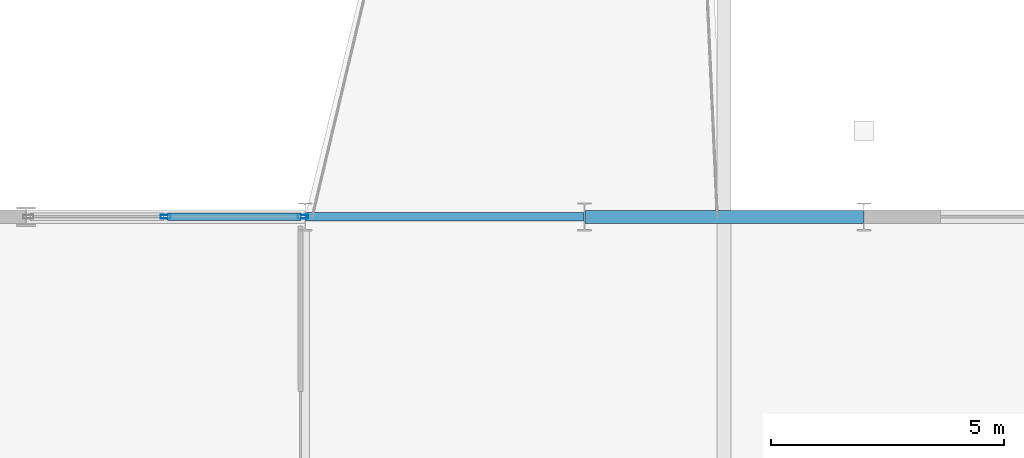
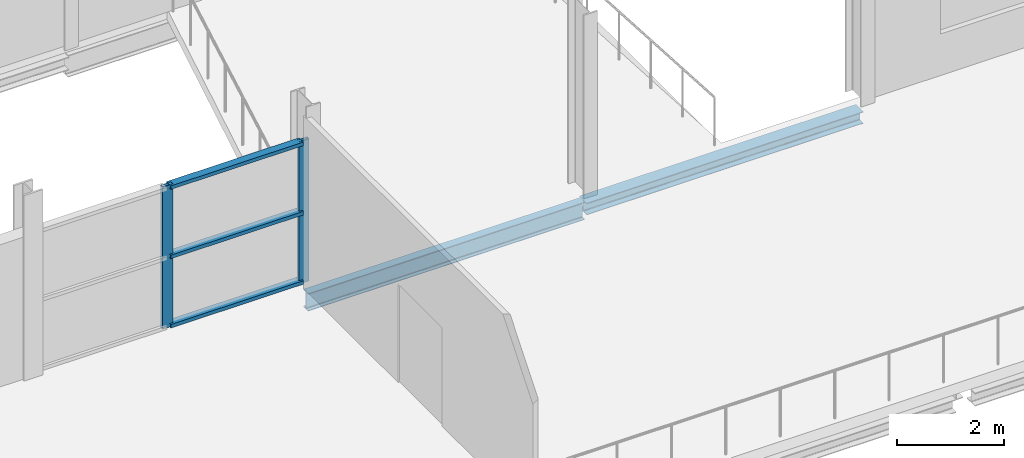
# One storey, part 47 of 135: 5 members, 2 beams, 1 element without a shape of its own.
"""IFC4 building model written with IfcOpenShell, lengths in metres."""

import ifcopenshell
import ifcopenshell.guid

model = None  # the IFC model being written
_history = None  # IfcOwnerHistory: only IFC2X3 demands one
_inside = {}  # id of a spatial element -> (the spatial element, [elements in it])
_under = {}  # id of a project, library or spatial element -> (it, [spatial elements below it])
_declared = {}  # id of a project -> (the project, [libraries it declares])
_typed = {}  # id of a type object -> (the type object, [elements of that type])
_made_of = {}  # id of a material, layer set ... -> (it, [elements and type objects made of it])


def new_model(schema):
    """Start an empty IFC model of exactly this schema.

    Asked for "IFC4X3", IfcOpenShell would pick the latest addendum, in which some entities
    have other attributes; the version numbers below select the first issue.
    IFC2X3 requires an IfcOwnerHistory on every rooted entity: one is made here for all.
    """
    global model, _history
    if schema == "IFC4X3":
        model = ifcopenshell.file(schema_version=(4, 3, 0, 0))
    else:
        model = ifcopenshell.file(schema=schema)
    _inside.clear()
    _under.clear()
    _declared.clear()
    _typed.clear()
    _made_of.clear()
    _history = None
    if model.schema == "IFC2X3":
        org = make("IfcOrganization", Name="unknown")
        user = make(
            "IfcPersonAndOrganization",
            ThePerson=make("IfcPerson", FamilyName="unknown"),
            TheOrganization=org,
        )
        app = make(
            "IfcApplication",
            ApplicationDeveloper=org,
            Version="unknown",
            ApplicationFullName="unknown",
            ApplicationIdentifier="unknown",
        )
        _history = make(
            "IfcOwnerHistory",
            OwningUser=user,
            OwningApplication=app,
            ChangeAction="ADDED",
            CreationDate=0,
        )
    return model


def make(cls, **values):
    """One entity of the class cls with the attributes given. An attribute that is None is left unset."""
    return model.create_entity(
        cls, **{name: value for name, value in values.items() if value is not None}
    )


def rooted(cls, **values):
    """An entity with a GlobalId (a new one), such as an element, a storey or a relation."""
    return make(cls, GlobalId=ifcopenshell.guid.new(), OwnerHistory=_history, **values)


def si_unit(unit_type, name, prefix=None):
    """IfcSIUnit, for example si_unit("LENGTHUNIT", "METRE", prefix="MILLI")."""
    return make("IfcSIUnit", UnitType=unit_type, Prefix=prefix, Name=name)


def assignment(units):
    """IfcUnitAssignment: the units of a project."""
    return None if units is None else make("IfcUnitAssignment", Units=units)


def point(xyz):
    """IfcCartesianPoint."""
    return None if xyz is None else make("IfcCartesianPoint", Coordinates=xyz)


def direction(xyz):
    """IfcDirection."""
    return None if xyz is None else make("IfcDirection", DirectionRatios=xyz)


def frame(location, z_axis=None, x_axis=None):
    """IfcAxis2Placement3D, a coordinate frame: its origin and axes. An axis left out is left unset."""
    return make(
        "IfcAxis2Placement3D",
        Location=point(location),
        Axis=direction(z_axis),
        RefDirection=direction(x_axis),
    )


def frame_2d(location, x_axis=None):
    """IfcAxis2Placement2D, a coordinate frame in the plane: its origin and x axis."""
    return make(
        "IfcAxis2Placement2D", Location=point(location), RefDirection=direction(x_axis)
    )


def origin():
    """The frame at (0, 0, 0) with its axes left unset."""
    return frame((0.0, 0.0, 0.0))


def origin_2d():
    """The frame at (0, 0) in the plane with its x axis left unset."""
    return frame_2d((0.0, 0.0))


def place(relative_to, where):
    """IfcLocalPlacement: puts the frame where relative to a parent placement (None: the world)."""
    return make(
        "IfcLocalPlacement", PlacementRelTo=relative_to, RelativePlacement=where
    )


def context(
    kind, dimensions, precision=None, world=None, true_north=None, identifier=None
):
    """IfcGeometricRepresentationContext, for example the 3D "Model" context."""
    return make(
        "IfcGeometricRepresentationContext",
        ContextIdentifier=identifier,
        ContextType=kind,
        CoordinateSpaceDimension=dimensions,
        Precision=precision,
        WorldCoordinateSystem=world,
        TrueNorth=true_north,
    )


def subcontext(parent, identifier, kind, view, scale=None):
    """IfcGeometricRepresentationSubContext, for example "Body" below "Model"."""
    return make(
        "IfcGeometricRepresentationSubContext",
        ContextIdentifier=identifier,
        ContextType=kind,
        ParentContext=parent,
        TargetScale=scale,
        TargetView=view,
    )


def project(units=None, contexts=None):
    """IfcProject with its units and contexts."""
    return rooted(
        "IfcProject",
        Name="project",
        RepresentationContexts=contexts,
        UnitsInContext=assignment(units),
    )


def spatial(cls, under=None, at=None, **own):
    """A site, building, storey or space (cls), placed at a placement, below another one or the project."""
    s = rooted(cls, ObjectPlacement=at, **own)
    if under is not None:
        _under.setdefault(under.id(), (under, []))[1].append(s)
    return s


def profile(cls, at=None, kind="AREA", **sizes):
    """A parametric profile (cls). Its sizes go by their IFC names, for example OverallWidth=200.0."""
    return make(cls, ProfileType=kind, Position=at, **sizes)


def hollow_rectangle(**sizes):
    """IfcRectangleHollowProfileDef."""
    return profile("IfcRectangleHollowProfileDef", **sizes)


def i_section(**sizes):
    """IfcIShapeProfileDef."""
    return profile("IfcIShapeProfileDef", **sizes)


def extrude(swept, where, along, depth):
    """IfcExtrudedAreaSolid: the profile swept, set in the frame where, extruded along a direction by depth."""
    return make(
        "IfcExtrudedAreaSolid",
        SweptArea=swept,
        Position=where,
        ExtrudedDirection=direction(along),
        Depth=depth,
    )


def shape(context_of_items, identifier, shape_type, items):
    """IfcShapeRepresentation: the items that make up one representation, for example the "Body"."""
    return make(
        "IfcShapeRepresentation",
        ContextOfItems=context_of_items,
        RepresentationIdentifier=identifier,
        RepresentationType=shape_type,
        Items=items,
    )


def material(Name=None, Category=None):
    """IfcMaterial."""
    return make("IfcMaterial", Name=Name, Category=Category)


def layer(
    of_material, thickness, ventilated=None, Name=None, Category=None, Priority=None
):
    """IfcMaterialLayer: one layer of a wall or slab, of a material (None: an air gap)."""
    return make(
        "IfcMaterialLayer",
        Material=of_material,
        LayerThickness=thickness,
        IsVentilated=ventilated,
        Name=Name,
        Category=Category,
        Priority=Priority,
    )


def layer_set(layers, Name=None):
    """IfcMaterialLayerSet."""
    return make("IfcMaterialLayerSet", MaterialLayers=layers, LayerSetName=Name)


def material_profile(
    of_material, cross_section, Name=None, Category=None, Priority=None
):
    """IfcMaterialProfile: a cross section and its material."""
    return make(
        "IfcMaterialProfile",
        Name=Name,
        Material=of_material,
        Profile=cross_section,
        Priority=Priority,
        Category=Category,
    )


def profile_set(profiles, Name=None, composite=None):
    """IfcMaterialProfileSet."""
    return make(
        "IfcMaterialProfileSet",
        Name=Name,
        MaterialProfiles=profiles,
        CompositeProfile=composite,
    )


def made_of(thing, what):
    """Note that an element or type object is made of a material, layer set ...; save() writes the relation."""
    if what is not None:
        _made_of.setdefault(what.id(), (what, []))[1].append(thing)
    return thing


def type_object(cls, material=None, **own):
    """A type object (cls), such as IfcWallType, which elements share."""
    return made_of(rooted(cls, **own), material)


def element(
    cls,
    number,
    at=None,
    inside=None,
    cuts=None,
    type_object=None,
    material=None,
    context=None,
    identifier="Body",
    shape_type=None,
    held_by="IfcProductDefinitionShape",
    body=None,
    shapes=None,
    **own,
):
    """One element of the class cls, such as IfcWall. Its Tag is "e" and its number.

    at: its placement. inside: the storey or other place that contains it. cuts: it is an
    opening in that element (IfcRelVoidsElement). A single representation is given by context,
    identifier, shape_type and body (its items); several are given by shapes. held_by: the class
    of the entity that holds the representations. save() writes the other relations.
    """
    e = rooted(cls, Tag="e%d" % number, ObjectPlacement=at, **own)
    if body is not None:
        shapes = [shape(context, identifier, shape_type, body)]
    if shapes is not None:
        e.Representation = make(held_by, Representations=shapes)
    if inside is not None:
        _inside.setdefault(inside.id(), (inside, []))[1].append(e)
    if cuts is not None:
        rooted(
            "IfcRelVoidsElement", RelatingBuildingElement=cuts, RelatedOpeningElement=e
        )
    if type_object is not None:
        _typed.setdefault(type_object.id(), (type_object, []))[1].append(e)
    return made_of(e, material)


def aggregate(whole, parts):
    """IfcRelAggregates: a whole, such as a stair, and the parts it consists of."""
    return rooted("IfcRelAggregates", RelatingObject=whole, RelatedObjects=parts)


def save(model, path):
    """Write the relations noted so far, then the file.

    IfcRelAggregates (storeys below a building ...), IfcRelContainedInSpatialStructure (elements
    in a storey), IfcRelDefinesByType, IfcRelAssociatesMaterial and IfcRelDeclares: one each for
    every whole, place, type object, material and project.
    """
    for whole, parts in _under.values():
        aggregate(whole, parts)
    for where, things in _inside.values():
        rooted(
            "IfcRelContainedInSpatialStructure",
            RelatedElements=things,
            RelatingStructure=where,
        )
    for kind, things in _typed.values():
        rooted("IfcRelDefinesByType", RelatedObjects=things, RelatingType=kind)
    for what, things in _made_of.values():
        rooted("IfcRelAssociatesMaterial", RelatedObjects=things, RelatingMaterial=what)
    for by, libraries in _declared.values():
        rooted("IfcRelDeclares", RelatingContext=by, RelatedDefinitions=libraries)
    model.write(path)


model = new_model("IFC4")

# Units and contexts
model_context = context("Model", 3, precision=1e-05, world=origin(), true_north=direction((0.0, 1.0)))
body_context = subcontext(model_context, "Body", "Model", "MODEL_VIEW")
ifc_project = project(units=[si_unit("LENGTHUNIT", "METRE"), si_unit("AREAUNIT", "SQUARE_METRE"), si_unit("VOLUMEUNIT", "CUBIC_METRE"), si_unit("PLANEANGLEUNIT", "RADIAN"), si_unit("MASSUNIT", "GRAM", prefix="KILO")], contexts=[model_context])

# Site, building, storey
site_placement = place(None, origin())
site = spatial("IfcSite", under=ifc_project, at=site_placement, CompositionType="ELEMENT")
building_placement = place(site_placement, origin())
building = spatial("IfcBuilding", under=site, at=building_placement, Name="Deido Ridge Mobility Hub", CompositionType="ELEMENT")
storey_placement = place(building_placement, frame((0.0, 0.0, 4.199951171875)))
storey = spatial("IfcBuildingStorey", under=building, at=storey_placement, Name="L01", CompositionType="ELEMENT", Elevation=4.199951171875)

# Beam
ifc_material_1 = material(Name="Steel S355J2 EN 10025-2", Category="steel")
ifc_material_profile_1 = material_profile(ifc_material_1, i_section(OverallWidth=0.179931640625, OverallDepth=0.39990234375, WebThickness=0.008544921875, FlangeThickness=0.013427734375, FilletRadius=0.02099609375, at=origin_2d()), Name="IPE 400")
ifc_profile_set_1 = profile_set([ifc_material_profile_1], Name="Steel S355J2 EN 10025-2")
beam_type_1 = type_object("IfcBeamType", Name="BM-IPE400", PredefinedType="BEAM", material=ifc_profile_set_1)
beam_1_placement = place(storey_placement, frame((36.0078125, 36.0, -0.449951171875), z_axis=(1.0, 0.0, 0.0), x_axis=(0.0, 1.0, 0.0)))
element("IfcBeam", 1, at=beam_1_placement, inside=storey, type_object=beam_type_1, Name="Floor beam B5", PredefinedType="BEAM", context=body_context, shape_type="SweptSolid", body=[
    extrude(i_section(OverallWidth=0.179931640625, OverallDepth=0.39990234375, WebThickness=0.008544921875, FlangeThickness=0.013427734375, FilletRadius=0.02099609375, at=origin_2d()), origin(), (0.0, 0.0, 1.0), 5.984375),
])

# Curtain wall, members
ifc_material_2 = material(Name="Anodised aluminium EN AW-6063 T6", Category="aluminium")
ifc_layer = layer(ifc_material_2, 0.14404296875, Name="Anodised aluminium EN AW-6063 T6")
ifc_layer_set = layer_set([ifc_layer], Name="Anodised aluminium EN AW-6063 T6")
curtain_wall_type = type_object("IfcCurtainWallType", Name="CW-GS-2", PredefinedType="USERDEFINED", material=ifc_layer_set)
curtain_wall_placement = place(storey_placement, origin())
curtain_wall = element("IfcCurtainWall", 2, at=curtain_wall_placement, inside=storey, type_object=curtain_wall_type, Name="Unitised curtain wall GS2", ObjectType="GLAZED SCREEN", PredefinedType="USERDEFINED")
ifc_material_profile_2 = material_profile(ifc_material_2, hollow_rectangle(XDim=0.080078125, YDim=0.219970703125, WallThickness=0.00390625, at=origin_2d()), Name="RHS 80x220x4")
ifc_profile_set_2 = profile_set([ifc_material_profile_2], Name="Anodised aluminium EN AW-6063 T6")
member_type_1 = type_object("IfcMemberType", Name="MEM-MUL-80X220", PredefinedType="MULLION", material=ifc_profile_set_2)
member_1_placement = place(storey_placement, frame((33.002197265625, 36.0, 0.0), z_axis=(0.0, 0.0, 1.0), x_axis=(0.0, 1.0, 0.0)))
member_1 = element("IfcMember", 3, at=member_1_placement, type_object=member_type_1, Name="GS2 mullion 2", PredefinedType="MULLION", context=body_context, shape_type="SweptSolid", body=[
    extrude(hollow_rectangle(XDim=0.080078125, YDim=0.219970703125, WallThickness=0.00390625, at=origin_2d()), origin(), (0.0, 0.0, 1.0), 3.25),
])
member_2_placement = place(storey_placement, frame((35.9521484375, 36.0, 0.0), z_axis=(0.0, 0.0, 1.0), x_axis=(0.0, 1.0, 0.0)))
member_2 = element("IfcMember", 4, at=member_2_placement, type_object=member_type_1, Name="GS2 mullion 3", PredefinedType="MULLION", context=body_context, shape_type="SweptSolid", body=[
    extrude(hollow_rectangle(XDim=0.080078125, YDim=0.219970703125, WallThickness=0.00390625, at=origin_2d()), origin(), (0.0, 0.0, 1.0), 3.25),
])
ifc_material_profile_3 = material_profile(ifc_material_2, hollow_rectangle(XDim=0.1650390625, YDim=0.080078125, WallThickness=0.00390625, at=origin_2d()), Name="RHS 165x80x4")
ifc_profile_set_3 = profile_set([ifc_material_profile_3], Name="Anodised aluminium EN AW-6063 T6")
member_type_2 = type_object("IfcMemberType", Name="MEM-TRN-165X80", PredefinedType="USERDEFINED", material=ifc_profile_set_3)
member_3_placement = place(storey_placement, frame((33.0419921875, 36.0, 0.0400390625), z_axis=(1.0, 0.0, 0.0), x_axis=(0.0, 1.0, 0.0)))
member_3 = element("IfcMember", 5, at=member_3_placement, type_object=member_type_2, Name="GS2 transom 2.1", ObjectType="TRANSOM", PredefinedType="USERDEFINED", context=body_context, shape_type="SweptSolid", body=[
    extrude(hollow_rectangle(XDim=0.1650390625, YDim=0.080078125, WallThickness=0.00390625, at=origin_2d()), origin(), (0.0, 0.0, 1.0), 2.8701171875),
])
member_4_placement = place(storey_placement, frame((33.0419921875, 36.0, 1.625), z_axis=(1.0, 0.0, 0.0), x_axis=(0.0, 1.0, 0.0)))
member_4 = element("IfcMember", 6, at=member_4_placement, type_object=member_type_2, Name="GS2 transom 2.2", ObjectType="TRANSOM", PredefinedType="USERDEFINED", context=body_context, shape_type="SweptSolid", body=[
    extrude(hollow_rectangle(XDim=0.1650390625, YDim=0.080078125, WallThickness=0.00390625, at=origin_2d()), origin(), (0.0, 0.0, 1.0), 2.8701171875),
])
member_5_placement = place(storey_placement, frame((33.0419921875, 36.0, 3.2099609375), z_axis=(1.0, 0.0, 0.0), x_axis=(0.0, 1.0, 0.0)))
member_5 = element("IfcMember", 7, at=member_5_placement, type_object=member_type_2, Name="GS2 transom 2.3", ObjectType="TRANSOM", PredefinedType="USERDEFINED", context=body_context, shape_type="SweptSolid", body=[
    extrude(hollow_rectangle(XDim=0.1650390625, YDim=0.080078125, WallThickness=0.00390625, at=origin_2d()), origin(), (0.0, 0.0, 1.0), 2.8701171875),
])
aggregate(curtain_wall, [member_1, member_2, member_3, member_4, member_5])

# Beam
ifc_material_profile_4 = material_profile(ifc_material_1, i_section(OverallWidth=0.280029296875, OverallDepth=0.27001953125, WebThickness=0.008056640625, FlangeThickness=0.012939453125, FilletRadius=0.02392578125, at=origin_2d()), Name="HEA 280")
ifc_profile_set_4 = profile_set([ifc_material_profile_4], Name="Steel S355J2 EN 10025-2")
beam_type_2 = type_object("IfcBeamType", Name="SPD-HEA280", PredefinedType="SPANDREL", material=ifc_profile_set_4)
beam_2_placement = place(storey_placement, frame((42.0078125, 36.0, -0.385009765625), z_axis=(1.0, 0.0, 0.0), x_axis=(0.0, 1.0, 0.0)))
element("IfcBeam", 8, at=beam_2_placement, inside=storey, type_object=beam_type_2, Name="Floor beam SP2", PredefinedType="SPANDREL", context=body_context, shape_type="SweptSolid", body=[
    extrude(i_section(OverallWidth=0.280029296875, OverallDepth=0.27001953125, WebThickness=0.008056640625, FlangeThickness=0.012939453125, FilletRadius=0.02392578125, at=origin_2d()), origin(), (0.0, 0.0, 1.0), 5.984375),
])

save(model, "model.ifc")
